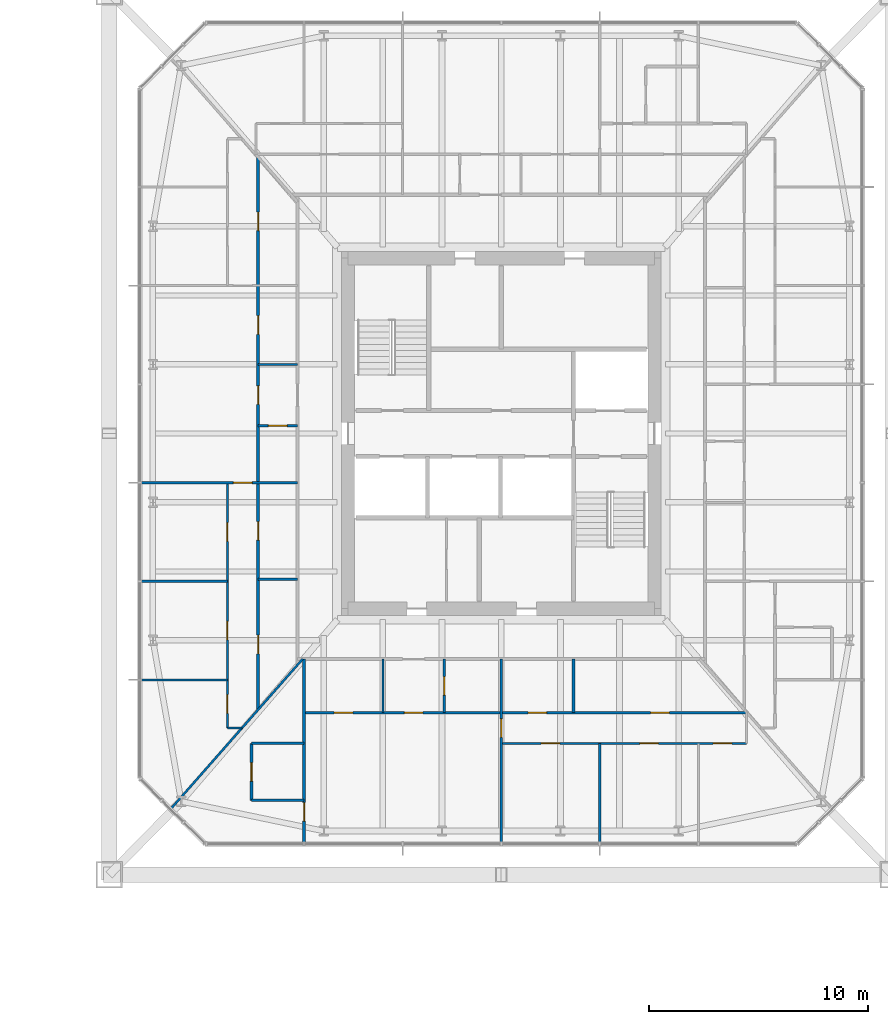
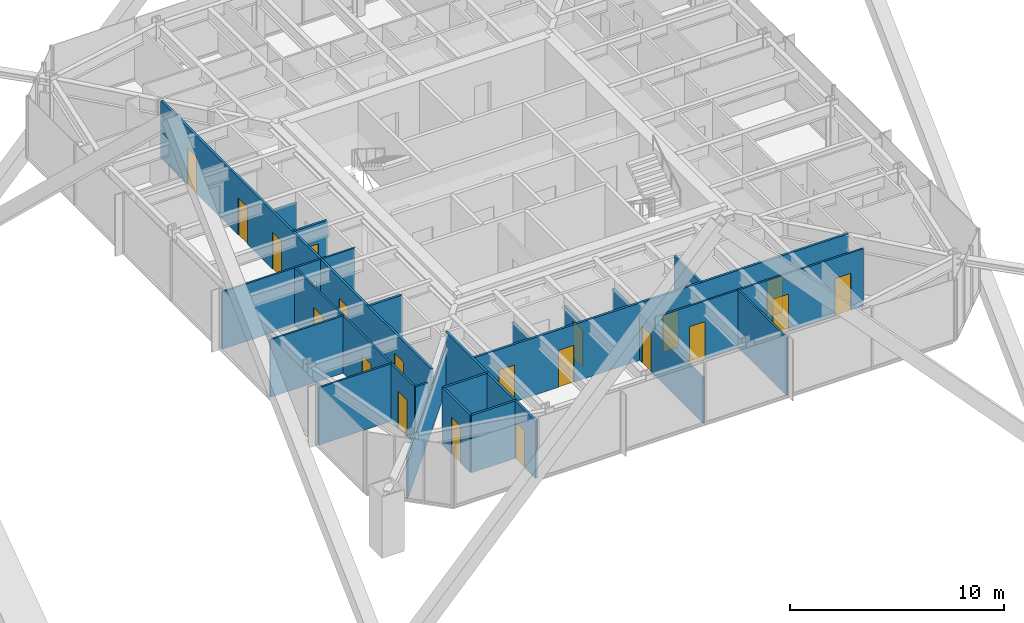
# One storey, part 20 of 28: 21 doors, 21 walls, 21 openings.
"""IFC4 building model written with IfcOpenShell, lengths in metres."""

from ifc_helpers import new_model, si_unit, direction, frame, frame_2d, origin, place, context, subcontext, project, spatial, rectangle, extrude, material, layer, layer_set, type_object, element, fill, save


model = new_model("IFC4")

# Units and contexts
model_context = context("Model", 3, precision=1e-05, world=origin(), true_north=direction((0.0, 1.0)))
body_context = subcontext(model_context, "Body", "Model", "MODEL_VIEW")
ifc_project = project(units=[si_unit("LENGTHUNIT", "METRE"), si_unit("AREAUNIT", "SQUARE_METRE"), si_unit("VOLUMEUNIT", "CUBIC_METRE"), si_unit("PLANEANGLEUNIT", "RADIAN"), si_unit("MASSUNIT", "GRAM", prefix="KILO")], contexts=[model_context])

# Site, building, storey
site_placement = place(None, origin())
site = spatial("IfcSite", under=ifc_project, at=site_placement, CompositionType="ELEMENT")
building_placement = place(site_placement, origin())
building = spatial("IfcBuilding", under=site, at=building_placement, Name="Iwan Alto Co-Living Towers", CompositionType="ELEMENT")
storey_placement = place(building_placement, frame((0.0, 0.0, 43.0)))
storey = spatial("IfcBuildingStorey", under=building, at=storey_placement, Name="L11", CompositionType="ELEMENT", Elevation=43.0)

# Wall, openings, doors
ifc_material_1 = material(Name="Gypsum board")
ifc_layer_1 = layer(ifc_material_1, 0.012451171875, Name="Board", Category="Finish")
ifc_material_2 = material(Name="Steel ASTM A1003 ST33H cold-formed studs", Category="steel")
ifc_layer_2 = layer(ifc_material_2, 0.074951171875, Name="Studs", Category="Framing")
ifc_layer_3 = layer(ifc_material_1, 0.012451171875, Name="Board", Category="Finish")
ifc_layer_set_1 = layer_set([ifc_layer_1, ifc_layer_2, ifc_layer_3], Name="PARTITION 100")
wall_type_1 = type_object("IfcWallType", Name="PARTITION 100", PredefinedType="PARTITIONING", material=ifc_layer_set_1)
wall_1_placement = place(storey_placement, frame((63.0, -14.14990234375, 0.0), z_axis=(0.0, 0.0, 1.0), x_axis=(1.0, 0.0, 0.0)))
wall_1 = element("IfcWall", 1, at=wall_1_placement, inside=storey, type_object=wall_type_1, Name="Partition L11", PredefinedType="PARTITIONING", context=body_context, shape_type="SweptSolid", body=[
    extrude(rectangle(XDim=11.199951171875, YDim=0.10009765625, at=frame_2d((5.60009765625, 0.0))), origin(), (0.0, 0.0, 1.0), 3.27001953125),
])
opening_1_placement = place(wall_1_placement, frame((1.824951171875, 0.0, 0.0)))
opening_1 = element("IfcOpeningElement", 2, at=opening_1_placement, cuts=wall_1, Name="Opening D2", PredefinedType="OPENING", context=body_context, shape_type="SweptSolid", body=[
    extrude(rectangle(XDim=0.85009765625, YDim=2.10009765625, at=frame_2d((0.425048828125, 1.050048828125))), frame((0.0, 0.06005859375, 0.0), z_axis=(0.0, -1.0, 0.0), x_axis=(1.0, 0.0, 0.0)), (0.0, 0.0, 1.0), 0.1201171875),
])
opening_2_placement = place(wall_1_placement, frame((6.324951171875, 0.0, 0.0)))
opening_2 = element("IfcOpeningElement", 3, at=opening_2_placement, cuts=wall_1, Name="Opening D2", PredefinedType="OPENING", context=body_context, shape_type="SweptSolid", body=[
    extrude(rectangle(XDim=0.85009765625, YDim=2.10009765625, at=frame_2d((0.425048828125, 1.050048828125))), frame((0.0, 0.06005859375, 0.0), z_axis=(0.0, -1.0, 0.0), x_axis=(1.0, 0.0, 0.0)), (0.0, 0.0, 1.0), 0.1201171875),
])
opening_3_placement = place(wall_1_placement, frame((9.675048828125, 0.0, 0.0)))
opening_3 = element("IfcOpeningElement", 4, at=opening_3_placement, cuts=wall_1, Name="Opening D2", PredefinedType="OPENING", context=body_context, shape_type="SweptSolid", body=[
    extrude(rectangle(XDim=0.85009765625, YDim=2.10009765625, at=frame_2d((0.425048828125, 1.050048828125))), frame((0.0, 0.06005859375, 0.0), z_axis=(0.0, -1.0, 0.0), x_axis=(1.0, 0.0, 0.0)), (0.0, 0.0, 1.0), 0.1201171875),
])
ifc_material_3 = material(Name="Timber leaf in steel frame", Category="steel")
door_type = type_object("IfcDoorType", Name="ROOM DOOR 850X2100", OperationType="SINGLE_SWING_LEFT", PredefinedType="DOOR", material=ifc_material_3)
door_1_placement = place(opening_1_placement, frame((0.85009765625, 0.0, 0.0), z_axis=(0.0, 0.0, 1.0), x_axis=(-1.0, 0.0, 0.0)))
door_1 = element("IfcDoor", 5, at=door_1_placement, inside=storey, type_object=door_type, Name="Study door L11", OperationType="SINGLE_SWING_RIGHT", OverallHeight=2.10009765625, OverallWidth=0.85009765625, PredefinedType="DOOR", context=body_context, shape_type="SweptSolid", body=[
    extrude(rectangle(XDim=0.85009765625, YDim=2.10009765625, at=frame_2d((0.425048828125, 1.050048828125))), frame((0.0, 0.02490234375, 0.0), z_axis=(0.0, -1.0, 0.0), x_axis=(1.0, 0.0, 0.0)), (0.0, 0.0, 1.0), 0.050048828125),
])
fill(opening_1, door_1)
door_2_placement = place(opening_2_placement, frame((0.85009765625, 0.0, 0.0), z_axis=(0.0, 0.0, 1.0), x_axis=(-1.0, 0.0, 0.0)))
door_2 = element("IfcDoor", 6, at=door_2_placement, inside=storey, type_object=door_type, Name="Bedroom door L11", OperationType="SINGLE_SWING_RIGHT", OverallHeight=2.10009765625, OverallWidth=0.85009765625, PredefinedType="DOOR", context=body_context, shape_type="SweptSolid", body=[
    extrude(rectangle(XDim=0.85009765625, YDim=2.10009765625, at=frame_2d((0.425048828125, 1.050048828125))), frame((0.0, 0.02490234375, 0.0), z_axis=(0.0, -1.0, 0.0), x_axis=(1.0, 0.0, 0.0)), (0.0, 0.0, 1.0), 0.050048828125),
])
fill(opening_2, door_2)
door_3_placement = place(opening_3_placement, frame((0.85009765625, 0.0, 0.0), z_axis=(0.0, 0.0, 1.0), x_axis=(-1.0, 0.0, 0.0)))
door_3 = element("IfcDoor", 7, at=door_3_placement, inside=storey, type_object=door_type, Name="Bedroom door L11", OperationType="SINGLE_SWING_RIGHT", OverallHeight=2.10009765625, OverallWidth=0.85009765625, PredefinedType="DOOR", context=body_context, shape_type="SweptSolid", body=[
    extrude(rectangle(XDim=0.85009765625, YDim=2.10009765625, at=frame_2d((0.425048828125, 1.050048828125))), frame((0.0, 0.02490234375, 0.0), z_axis=(0.0, -1.0, 0.0), x_axis=(1.0, 0.0, 0.0)), (0.0, 0.0, 1.0), 0.050048828125),
])
fill(opening_3, door_3)

# Walls
wall_2_placement = place(storey_placement, frame((50.5, -13.449951171875, 0.0), z_axis=(0.0, 0.0, 1.0), x_axis=(1.0, 0.0, 0.0)))
element("IfcWall", 8, at=wall_2_placement, inside=storey, type_object=wall_type_1, Name="Partition L11", PredefinedType="PARTITIONING", context=body_context, shape_type="SweptSolid", body=[
    extrude(rectangle(XDim=0.6640625, YDim=0.10009765625, at=frame_2d((0.33203125, 0.0))), origin(), (0.0, 0.0, 1.0), 3.27001953125),
])
for number, where, z_axis, x_axis, name in (
    (9, (46.56005859375, -11.25, 0.0), (0.0, 0.0, 1.0), (1.0, 0.0, 0.0), "Partition L11"),
    (10, (46.56005859375, -6.75, 0.0), (0.0, 0.0, 1.0), (1.0, 0.0, 0.0), "Partition L11"),
):
    element("IfcWall", number, at=place(storey_placement, frame(where, z_axis=z_axis, x_axis=x_axis)), inside=storey, type_object=wall_type_1, Name=name, PredefinedType="PARTITIONING", context=body_context, shape_type="SweptSolid", body=[
        extrude(rectangle(XDim=3.93994140625, YDim=0.10009765625, at=frame_2d((1.969970703125, 0.0))), origin(), (0.0, 0.0, 1.0), 3.27001953125),
    ])

# Wall, opening, door
wall_3_placement = place(storey_placement, frame((46.56005859375, -2.25, 0.0), z_axis=(0.0, 0.0, 1.0), x_axis=(1.0, 0.0, 0.0)))
wall_3 = element("IfcWall", 11, at=wall_3_placement, inside=storey, type_object=wall_type_1, Name="Partition L11", PredefinedType="PARTITIONING", context=body_context, shape_type="SweptSolid", body=[
    extrude(rectangle(XDim=7.139892578125, YDim=0.10009765625, at=frame_2d((3.56982421875, 0.0))), origin(), (0.0, 0.0, 1.0), 3.27001953125),
])
opening_4_placement = place(wall_3_placement, frame((4.215087890625, 0.0, 0.0)))
opening_4 = element("IfcOpeningElement", 12, at=opening_4_placement, cuts=wall_3, Name="Opening D2", PredefinedType="OPENING", context=body_context, shape_type="SweptSolid", body=[
    extrude(rectangle(XDim=0.85009765625, YDim=2.10009765625, at=frame_2d((0.425048828125, 1.050048828125))), frame((0.0, 0.06005859375, 0.0), z_axis=(0.0, -1.0, 0.0), x_axis=(1.0, 0.0, 0.0)), (0.0, 0.0, 1.0), 0.1201171875),
])
door_4_placement = place(opening_4_placement, origin())
door_4 = element("IfcDoor", 13, at=door_4_placement, inside=storey, type_object=door_type, Name="Apartment hall door L11", OperationType="SINGLE_SWING_RIGHT", OverallHeight=2.10009765625, OverallWidth=0.85009765625, PredefinedType="DOOR", context=body_context, shape_type="SweptSolid", body=[
    extrude(rectangle(XDim=0.85009765625, YDim=2.10009765625, at=frame_2d((0.425048828125, 1.050048828125))), frame((0.0, 0.02490234375, 0.0), z_axis=(0.0, -1.0, 0.0), x_axis=(1.0, 0.0, 0.0)), (0.0, 0.0, 1.0), 0.050048828125),
])
fill(opening_4, door_4)

# Walls
wall_4_placement = place(storey_placement, frame((51.89990234375, 3.14990234375, 0.0), z_axis=(0.0, 0.0, 1.0), x_axis=(1.0, 0.0, 0.0)))
element("IfcWall", 14, at=wall_4_placement, inside=storey, type_object=wall_type_1, Name="Partition L11", PredefinedType="PARTITIONING", context=body_context, shape_type="SweptSolid", body=[
    extrude(rectangle(XDim=1.800048828125, YDim=0.10009765625, at=frame_2d((0.89990234375, 0.0))), origin(), (0.0, 0.0, 1.0), 2.586669921875),
])
wall_5_placement = place(storey_placement, frame((47.944091796875, -17.10888671875, 0.0), z_axis=(0.0, 0.0, 1.0), x_axis=(0.660638210404, 0.750704439146, 0.0)))
element("IfcWall", 15, at=wall_5_placement, inside=storey, type_object=wall_type_1, Name="Partition L11", PredefinedType="PARTITIONING", context=body_context, shape_type="SweptSolid", body=[
    extrude(rectangle(XDim=9.06982421875, YDim=0.10009765625, at=frame_2d((4.534912109375, 0.0))), origin(), (0.0, 0.0, 1.0), 2.42919921875),
])
wall_6_placement = place(storey_placement, frame((67.5, -18.68994140625, 0.0), z_axis=(0.0, 0.0, 1.0), x_axis=(0.0, 1.0, 0.0)))
element("IfcWall", 16, at=wall_6_placement, inside=storey, type_object=wall_type_1, Name="Partition L11", PredefinedType="PARTITIONING", context=body_context, shape_type="SweptSolid", body=[
    extrude(rectangle(XDim=4.5400390625, YDim=0.10009765625, at=frame_2d((2.27001953125, 0.0))), origin(), (0.0, 0.0, 1.0), 3.27001953125),
])

# Wall, opening, door
wall_7_placement = place(storey_placement, frame((63.0, -18.68994140625, 0.0), z_axis=(0.0, 0.0, 1.0), x_axis=(0.0, 1.0, 0.0)))
wall_7 = element("IfcWall", 17, at=wall_7_placement, inside=storey, type_object=wall_type_1, Name="Partition L11", PredefinedType="PARTITIONING", context=body_context, shape_type="SweptSolid", body=[
    extrude(rectangle(XDim=8.389892578125, YDim=0.10009765625, at=frame_2d((4.19482421875, 0.0))), origin(), (0.0, 0.0, 1.0), 2.586669921875),
])
opening_5_placement = place(wall_7_placement, frame((4.81494140625, 0.0, 0.0)))
opening_5 = element("IfcOpeningElement", 18, at=opening_5_placement, cuts=wall_7, Name="Opening D2", PredefinedType="OPENING", context=body_context, shape_type="SweptSolid", body=[
    extrude(rectangle(XDim=0.85009765625, YDim=2.10009765625, at=frame_2d((0.425048828125, 1.050048828125))), frame((0.0, 0.06005859375, 0.0), z_axis=(0.0, -1.0, 0.0), x_axis=(1.0, 0.0, 0.0)), (0.0, 0.0, 1.0), 0.1201171875),
])
door_5_placement = place(opening_5_placement, origin())
door_5 = element("IfcDoor", 19, at=door_5_placement, inside=storey, type_object=door_type, Name="Apartment hall door L11", OperationType="SINGLE_SWING_RIGHT", OverallHeight=2.10009765625, OverallWidth=0.85009765625, PredefinedType="DOOR", context=body_context, shape_type="SweptSolid", body=[
    extrude(rectangle(XDim=0.85009765625, YDim=2.10009765625, at=frame_2d((0.425048828125, 1.050048828125))), frame((0.0, 0.02490234375, 0.0), z_axis=(0.0, -1.0, 0.0), x_axis=(1.0, 0.0, 0.0)), (0.0, 0.0, 1.0), 0.050048828125),
])
fill(opening_5, door_5)

# Wall
wall_8_placement = place(storey_placement, frame((57.60009765625, -12.75, 0.0), z_axis=(0.0, 0.0, 1.0), x_axis=(0.0, 1.0, 0.0)))
element("IfcWall", 20, at=wall_8_placement, inside=storey, type_object=wall_type_1, Name="Partition L11", PredefinedType="PARTITIONING", context=body_context, shape_type="SweptSolid", body=[
    extrude(rectangle(XDim=2.449951171875, YDim=0.10009765625, at=frame_2d((1.22509765625, 0.0))), origin(), (0.0, 0.0, 1.0), 2.586669921875),
])

# Wall, openings, doors
wall_9_placement = place(storey_placement, frame((50.5, -13.449951171875, 0.0), z_axis=(0.0, 0.0, 1.0), x_axis=(0.0, 1.0, 0.0)))
wall_9 = element("IfcWall", 21, at=wall_9_placement, inside=storey, type_object=wall_type_1, Name="Partition L11", PredefinedType="PARTITIONING", context=body_context, shape_type="SweptSolid", body=[
    extrude(rectangle(XDim=11.199951171875, YDim=0.10009765625, at=frame_2d((5.60009765625, 0.0))), origin(), (0.0, 0.0, 1.0), 3.27001953125),
])
opening_6_placement = place(wall_9_placement, frame((8.52490234375, 0.0, 0.0)))
opening_6 = element("IfcOpeningElement", 22, at=opening_6_placement, cuts=wall_9, Name="Opening D2", PredefinedType="OPENING", context=body_context, shape_type="SweptSolid", body=[
    extrude(rectangle(XDim=0.85009765625, YDim=2.10009765625, at=frame_2d((0.425048828125, 1.050048828125))), frame((0.0, 0.06005859375, 0.0), z_axis=(0.0, -1.0, 0.0), x_axis=(1.0, 0.0, 0.0)), (0.0, 0.0, 1.0), 0.1201171875),
])
opening_7_placement = place(wall_9_placement, frame((4.02490234375, 0.0, 0.0)))
opening_7 = element("IfcOpeningElement", 23, at=opening_7_placement, cuts=wall_9, Name="Opening D2", PredefinedType="OPENING", context=body_context, shape_type="SweptSolid", body=[
    extrude(rectangle(XDim=0.85009765625, YDim=2.10009765625, at=frame_2d((0.425048828125, 1.050048828125))), frame((0.0, 0.06005859375, 0.0), z_axis=(0.0, -1.0, 0.0), x_axis=(1.0, 0.0, 0.0)), (0.0, 0.0, 1.0), 0.1201171875),
])
opening_8_placement = place(wall_9_placement, frame((0.675048828125, 0.0, 0.0)))
opening_8 = element("IfcOpeningElement", 24, at=opening_8_placement, cuts=wall_9, Name="Opening D2", PredefinedType="OPENING", context=body_context, shape_type="SweptSolid", body=[
    extrude(rectangle(XDim=0.85009765625, YDim=2.10009765625, at=frame_2d((0.425048828125, 1.050048828125))), frame((0.0, 0.06005859375, 0.0), z_axis=(0.0, -1.0, 0.0), x_axis=(1.0, 0.0, 0.0)), (0.0, 0.0, 1.0), 0.1201171875),
])
door_6_placement = place(opening_6_placement, origin())
door_6 = element("IfcDoor", 25, at=door_6_placement, inside=storey, type_object=door_type, Name="Family room door L11", OperationType="SINGLE_SWING_LEFT", OverallHeight=2.10009765625, OverallWidth=0.85009765625, PredefinedType="DOOR", context=body_context, shape_type="SweptSolid", body=[
    extrude(rectangle(XDim=0.85009765625, YDim=2.10009765625, at=frame_2d((0.425048828125, 1.050048828125))), frame((0.0, 0.02490234375, 0.0), z_axis=(0.0, -1.0, 0.0), x_axis=(1.0, 0.0, 0.0)), (0.0, 0.0, 1.0), 0.050048828125),
])
fill(opening_6, door_6)
door_7_placement = place(opening_7_placement, origin())
door_7 = element("IfcDoor", 26, at=door_7_placement, inside=storey, type_object=door_type, Name="Bedroom door L11", OperationType="SINGLE_SWING_LEFT", OverallHeight=2.10009765625, OverallWidth=0.85009765625, PredefinedType="DOOR", context=body_context, shape_type="SweptSolid", body=[
    extrude(rectangle(XDim=0.85009765625, YDim=2.10009765625, at=frame_2d((0.425048828125, 1.050048828125))), frame((0.0, 0.02490234375, 0.0), z_axis=(0.0, -1.0, 0.0), x_axis=(1.0, 0.0, 0.0)), (0.0, 0.0, 1.0), 0.050048828125),
])
fill(opening_7, door_7)
door_8_placement = place(opening_8_placement, origin())
door_8 = element("IfcDoor", 27, at=door_8_placement, inside=storey, type_object=door_type, Name="Bedroom door L11", OperationType="SINGLE_SWING_RIGHT", OverallHeight=2.10009765625, OverallWidth=0.85009765625, PredefinedType="DOOR", context=body_context, shape_type="SweptSolid", body=[
    extrude(rectangle(XDim=0.85009765625, YDim=2.10009765625, at=frame_2d((0.425048828125, 1.050048828125))), frame((0.0, 0.02490234375, 0.0), z_axis=(0.0, -1.0, 0.0), x_axis=(1.0, 0.0, 0.0)), (0.0, 0.0, 1.0), 0.050048828125),
])
fill(opening_8, door_8)

# Walls
ifc_material_4 = material(Name="Cement board")
ifc_layer_4 = layer(ifc_material_4, 0.012451171875, Name="Board", Category="Finish")
ifc_layer_5 = layer(ifc_material_2, 0.094970703125, Name="Studs", Category="Framing")
ifc_layer_6 = layer(ifc_material_4, 0.012451171875, Name="Board", Category="Finish")
ifc_layer_set_2 = layer_set([ifc_layer_4, ifc_layer_5, ifc_layer_6], Name="WET AREA PARTITION 120")
wall_type_2 = type_object("IfcWallType", Name="WET AREA PARTITION 120", PredefinedType="PARTITIONING", material=ifc_layer_set_2)
for number, where, z_axis, x_axis, name in (
    (28, (51.60009765625, -16.75, 0.0), (0.0, 0.0, 1.0), (1.0, 0.0, 0.0), "Partition L11"),
    (29, (51.60009765625, -14.14990234375, 0.0), (0.0, 0.0, 1.0), (1.0, 0.0, 0.0), "Partition L11"),
):
    element("IfcWall", number, at=place(storey_placement, frame(where, z_axis=z_axis, x_axis=x_axis)), inside=storey, type_object=wall_type_2, Name=name, PredefinedType="PARTITIONING", context=body_context, shape_type="SweptSolid", body=[
        extrude(rectangle(XDim=2.39990234375, YDim=0.1201171875, at=frame_2d((1.199951171875, 0.0))), origin(), (0.0, 0.0, 1.0), 3.27001953125),
    ])

# Wall, openings, doors
wall_10_placement = place(storey_placement, frame((54.0, -12.75, 0.0), z_axis=(0.0, 0.0, 1.0), x_axis=(1.0, 0.0, 0.0)))
wall_10 = element("IfcWall", 30, at=wall_10_placement, inside=storey, type_object=wall_type_2, Name="Partition L11", PredefinedType="PARTITIONING", context=body_context, shape_type="SweptSolid", body=[
    extrude(rectangle(XDim=20.199951171875, YDim=0.1201171875, at=frame_2d((10.10009765625, 0.0))), origin(), (0.0, 0.0, 1.0), 3.27001953125),
])
opening_9_placement = place(wall_10_placement, frame((1.375, 0.0, 0.0)))
opening_9 = element("IfcOpeningElement", 31, at=opening_9_placement, cuts=wall_10, Name="Opening D2", PredefinedType="OPENING", context=body_context, shape_type="SweptSolid", body=[
    extrude(rectangle(XDim=0.85009765625, YDim=2.10009765625, at=frame_2d((0.425048828125, 1.050048828125))), frame((0.0, 0.070068359375, 0.0), z_axis=(0.0, -1.0, 0.0), x_axis=(1.0, 0.0, 0.0)), (0.0, 0.0, 1.0), 0.14013671875),
])
opening_10_placement = place(wall_10_placement, frame((4.574951171875, 0.0, 0.0)))
opening_10 = element("IfcOpeningElement", 32, at=opening_10_placement, cuts=wall_10, Name="Opening D2", PredefinedType="OPENING", context=body_context, shape_type="SweptSolid", body=[
    extrude(rectangle(XDim=0.85009765625, YDim=2.10009765625, at=frame_2d((0.425048828125, 1.050048828125))), frame((0.0, 0.070068359375, 0.0), z_axis=(0.0, -1.0, 0.0), x_axis=(1.0, 0.0, 0.0)), (0.0, 0.0, 1.0), 0.14013671875),
])
opening_11_placement = place(wall_10_placement, frame((10.22509765625, 0.0, 0.0)))
opening_11 = element("IfcOpeningElement", 33, at=opening_11_placement, cuts=wall_10, Name="Opening D2", PredefinedType="OPENING", context=body_context, shape_type="SweptSolid", body=[
    extrude(rectangle(XDim=0.85009765625, YDim=2.10009765625, at=frame_2d((0.425048828125, 1.050048828125))), frame((0.0, 0.070068359375, 0.0), z_axis=(0.0, -1.0, 0.0), x_axis=(1.0, 0.0, 0.0)), (0.0, 0.0, 1.0), 0.14013671875),
])
opening_12_placement = place(wall_10_placement, frame((15.824951171875, 0.0, 0.0)))
opening_12 = element("IfcOpeningElement", 34, at=opening_12_placement, cuts=wall_10, Name="Opening D2", PredefinedType="OPENING", context=body_context, shape_type="SweptSolid", body=[
    extrude(rectangle(XDim=0.85009765625, YDim=2.10009765625, at=frame_2d((0.425048828125, 1.050048828125))), frame((0.0, 0.070068359375, 0.0), z_axis=(0.0, -1.0, 0.0), x_axis=(1.0, 0.0, 0.0)), (0.0, 0.0, 1.0), 0.14013671875),
])
door_9_placement = place(opening_9_placement, frame((0.85009765625, 0.0, 0.0), z_axis=(0.0, 0.0, 1.0), x_axis=(-1.0, 0.0, 0.0)))
door_9 = element("IfcDoor", 35, at=door_9_placement, inside=storey, type_object=door_type, Name="Kitchen door L11", OperationType="SINGLE_SWING_RIGHT", OverallHeight=2.10009765625, OverallWidth=0.85009765625, PredefinedType="DOOR", context=body_context, shape_type="SweptSolid", body=[
    extrude(rectangle(XDim=0.85009765625, YDim=2.10009765625, at=frame_2d((0.425048828125, 1.050048828125))), frame((0.0, 0.02490234375, 0.0), z_axis=(0.0, -1.0, 0.0), x_axis=(1.0, 0.0, 0.0)), (0.0, 0.0, 1.0), 0.050048828125),
])
fill(opening_9, door_9)
door_10_placement = place(opening_10_placement, frame((0.85009765625, 0.0, 0.0), z_axis=(0.0, 0.0, 1.0), x_axis=(-1.0, 0.0, 0.0)))
door_10 = element("IfcDoor", 36, at=door_10_placement, inside=storey, type_object=door_type, Name="Apartment foyer door L11", OperationType="SINGLE_SWING_LEFT", OverallHeight=2.10009765625, OverallWidth=0.85009765625, PredefinedType="DOOR", context=body_context, shape_type="SweptSolid", body=[
    extrude(rectangle(XDim=0.85009765625, YDim=2.10009765625, at=frame_2d((0.425048828125, 1.050048828125))), frame((0.0, 0.02490234375, 0.0), z_axis=(0.0, -1.0, 0.0), x_axis=(1.0, 0.0, 0.0)), (0.0, 0.0, 1.0), 0.050048828125),
])
fill(opening_10, door_10)
door_11_placement = place(opening_11_placement, origin())
door_11 = element("IfcDoor", 37, at=door_11_placement, inside=storey, type_object=door_type, Name="Utility room door L11", OperationType="SINGLE_SWING_LEFT", OverallHeight=2.10009765625, OverallWidth=0.85009765625, PredefinedType="DOOR", context=body_context, shape_type="SweptSolid", body=[
    extrude(rectangle(XDim=0.85009765625, YDim=2.10009765625, at=frame_2d((0.425048828125, 1.050048828125))), frame((0.0, 0.02490234375, 0.0), z_axis=(0.0, -1.0, 0.0), x_axis=(1.0, 0.0, 0.0)), (0.0, 0.0, 1.0), 0.050048828125),
])
fill(opening_11, door_11)
door_12_placement = place(opening_12_placement, origin())
door_12 = element("IfcDoor", 38, at=door_12_placement, inside=storey, type_object=door_type, Name="Store room door L11", OperationType="SINGLE_SWING_RIGHT", OverallHeight=2.10009765625, OverallWidth=0.85009765625, PredefinedType="DOOR", context=body_context, shape_type="SweptSolid", body=[
    extrude(rectangle(XDim=0.85009765625, YDim=2.10009765625, at=frame_2d((0.425048828125, 1.050048828125))), frame((0.0, 0.02490234375, 0.0), z_axis=(0.0, -1.0, 0.0), x_axis=(1.0, 0.0, 0.0)), (0.0, 0.0, 1.0), 0.050048828125),
])
fill(opening_12, door_12)

# Wall
wall_11_placement = place(storey_placement, frame((51.89990234375, -6.64990234375, 0.0), z_axis=(0.0, 0.0, 1.0), x_axis=(1.0, 0.0, 0.0)))
element("IfcWall", 39, at=wall_11_placement, inside=storey, type_object=wall_type_2, Name="Partition L11", PredefinedType="PARTITIONING", context=body_context, shape_type="SweptSolid", body=[
    extrude(rectangle(XDim=1.800048828125, YDim=0.1201171875, at=frame_2d((0.89990234375, 0.0))), origin(), (0.0, 0.0, 1.0), 3.27001953125),
])

# Wall, opening, door
wall_12_placement = place(storey_placement, frame((51.89990234375, 0.35009765625, 0.0), z_axis=(0.0, 0.0, 1.0), x_axis=(1.0, 0.0, 0.0)))
wall_12 = element("IfcWall", 40, at=wall_12_placement, inside=storey, type_object=wall_type_2, Name="Partition L11", PredefinedType="PARTITIONING", context=body_context, shape_type="SweptSolid", body=[
    extrude(rectangle(XDim=1.800048828125, YDim=0.1201171875, at=frame_2d((0.89990234375, 0.0))), origin(), (0.0, 0.0, 1.0), 3.27001953125),
])
opening_13_placement = place(wall_12_placement, frame((0.47509765625, 0.0, 0.0)))
opening_13 = element("IfcOpeningElement", 41, at=opening_13_placement, cuts=wall_12, Name="Opening D2", PredefinedType="OPENING", context=body_context, shape_type="SweptSolid", body=[
    extrude(rectangle(XDim=0.85009765625, YDim=2.10009765625, at=frame_2d((0.425048828125, 1.050048828125))), frame((0.0, 0.070068359375, 0.0), z_axis=(0.0, -1.0, 0.0), x_axis=(1.0, 0.0, 0.0)), (0.0, 0.0, 1.0), 0.14013671875),
])
door_13_placement = place(opening_13_placement, frame((0.85009765625, 0.0, 0.0), z_axis=(0.0, 0.0, 1.0), x_axis=(-1.0, 0.0, 0.0)))
door_13 = element("IfcDoor", 42, at=door_13_placement, inside=storey, type_object=door_type, Name="Bathroom door L11", OperationType="SINGLE_SWING_RIGHT", OverallHeight=2.10009765625, OverallWidth=0.85009765625, PredefinedType="DOOR", context=body_context, shape_type="SweptSolid", body=[
    extrude(rectangle(XDim=0.85009765625, YDim=2.10009765625, at=frame_2d((0.425048828125, 1.050048828125))), frame((0.0, 0.02490234375, 0.0), z_axis=(0.0, -1.0, 0.0), x_axis=(1.0, 0.0, 0.0)), (0.0, 0.0, 1.0), 0.050048828125),
])
fill(opening_13, door_13)

# Wall
wall_13_placement = place(storey_placement, frame((66.300048828125, -12.75, 0.0), z_axis=(0.0, 0.0, 1.0), x_axis=(0.0, 1.0, 0.0)))
element("IfcWall", 43, at=wall_13_placement, inside=storey, type_object=wall_type_2, Name="Partition L11", PredefinedType="PARTITIONING", context=body_context, shape_type="SweptSolid", body=[
    extrude(rectangle(XDim=2.449951171875, YDim=0.1201171875, at=frame_2d((1.22509765625, 0.0))), origin(), (0.0, 0.0, 1.0), 3.27001953125),
])

# Wall, opening, door
wall_14_placement = place(storey_placement, frame((60.39990234375, -12.75, 0.0), z_axis=(0.0, 0.0, 1.0), x_axis=(0.0, 1.0, 0.0)))
wall_14 = element("IfcWall", 44, at=wall_14_placement, inside=storey, type_object=wall_type_2, Name="Partition L11", PredefinedType="PARTITIONING", context=body_context, shape_type="SweptSolid", body=[
    extrude(rectangle(XDim=2.449951171875, YDim=0.1201171875, at=frame_2d((1.22509765625, 0.0))), origin(), (0.0, 0.0, 1.0), 2.508056640625),
])
opening_14_placement = place(wall_14_placement, frame((0.800048828125, 0.0, 0.0)))
opening_14 = element("IfcOpeningElement", 45, at=opening_14_placement, cuts=wall_14, Name="Opening D2", PredefinedType="OPENING", context=body_context, shape_type="SweptSolid", body=[
    extrude(rectangle(XDim=0.85009765625, YDim=2.10009765625, at=frame_2d((0.425048828125, 1.050048828125))), frame((0.0, 0.070068359375, 0.0), z_axis=(0.0, -1.0, 0.0), x_axis=(1.0, 0.0, 0.0)), (0.0, 0.0, 1.0), 0.14013671875),
])
door_14_placement = place(opening_14_placement, frame((0.85009765625, 0.0, 0.0), z_axis=(0.0, 0.0, 1.0), x_axis=(-1.0, 0.0, 0.0)))
door_14 = element("IfcDoor", 46, at=door_14_placement, inside=storey, type_object=door_type, Name="Bathroom door L11", OperationType="SINGLE_SWING_RIGHT", OverallHeight=2.10009765625, OverallWidth=0.85009765625, PredefinedType="DOOR", context=body_context, shape_type="SweptSolid", body=[
    extrude(rectangle(XDim=0.85009765625, YDim=2.10009765625, at=frame_2d((0.425048828125, 1.050048828125))), frame((0.0, 0.02490234375, 0.0), z_axis=(0.0, -1.0, 0.0), x_axis=(1.0, 0.0, 0.0)), (0.0, 0.0, 1.0), 0.050048828125),
])
fill(opening_14, door_14)

wall_15_placement = place(storey_placement, frame((54.0, -18.68994140625, 0.0), z_axis=(0.0, 0.0, 1.0), x_axis=(0.0, 1.0, 0.0)))
wall_15 = element("IfcWall", 47, at=wall_15_placement, inside=storey, type_object=wall_type_2, Name="Partition L11", PredefinedType="PARTITIONING", context=body_context, shape_type="SweptSolid", body=[
    extrude(rectangle(XDim=8.389892578125, YDim=0.1201171875, at=frame_2d((4.19482421875, 0.0))), origin(), (0.0, 0.0, 1.0), 3.27001953125),
])
opening_15_placement = place(wall_15_placement, frame((0.989990234375, 0.0, 0.0)))
opening_15 = element("IfcOpeningElement", 48, at=opening_15_placement, cuts=wall_15, Name="Opening D2", PredefinedType="OPENING", context=body_context, shape_type="SweptSolid", body=[
    extrude(rectangle(XDim=0.85009765625, YDim=2.10009765625, at=frame_2d((0.425048828125, 1.050048828125))), frame((0.0, 0.070068359375, 0.0), z_axis=(0.0, -1.0, 0.0), x_axis=(1.0, 0.0, 0.0)), (0.0, 0.0, 1.0), 0.14013671875),
])
door_15_placement = place(opening_15_placement, frame((0.85009765625, 0.0, 0.0), z_axis=(0.0, 0.0, 1.0), x_axis=(-1.0, 0.0, 0.0)))
door_15 = element("IfcDoor", 49, at=door_15_placement, inside=storey, type_object=door_type, Name="Bedroom door L11", OperationType="SINGLE_SWING_RIGHT", OverallHeight=2.10009765625, OverallWidth=0.85009765625, PredefinedType="DOOR", context=body_context, shape_type="SweptSolid", body=[
    extrude(rectangle(XDim=0.85009765625, YDim=2.10009765625, at=frame_2d((0.425048828125, 1.050048828125))), frame((0.0, 0.02490234375, 0.0), z_axis=(0.0, -1.0, 0.0), x_axis=(1.0, 0.0, 0.0)), (0.0, 0.0, 1.0), 0.050048828125),
])
fill(opening_15, door_15)

# Wall, openings, doors
wall_16_placement = place(storey_placement, frame((51.89990234375, -12.614013671875, 0.0), z_axis=(0.0, 0.0, 1.0), x_axis=(0.0, 1.0, 0.0)))
wall_16 = element("IfcWall", 50, at=wall_16_placement, inside=storey, type_object=wall_type_2, Name="Partition L11", PredefinedType="PARTITIONING", context=body_context, shape_type="SweptSolid", body=[
    extrude(rectangle(XDim=25.22802734375, YDim=0.1201171875, at=frame_2d((12.614013671875, 0.0))), origin(), (0.0, 0.0, 1.0), 3.27001953125),
])
opening_16_placement = place(wall_16_placement, frame((17.138916015625, 0.0, 0.0)))
opening_16 = element("IfcOpeningElement", 51, at=opening_16_placement, cuts=wall_16, Name="Opening D2", PredefinedType="OPENING", context=body_context, shape_type="SweptSolid", body=[
    extrude(rectangle(XDim=0.85009765625, YDim=2.10009765625, at=frame_2d((0.425048828125, 1.050048828125))), frame((0.0, 0.070068359375, 0.0), z_axis=(0.0, -1.0, 0.0), x_axis=(1.0, 0.0, 0.0)), (0.0, 0.0, 1.0), 0.14013671875),
])
opening_17_placement = place(wall_16_placement, frame((13.93896484375, 0.0, 0.0)))
opening_17 = element("IfcOpeningElement", 52, at=opening_17_placement, cuts=wall_16, Name="Opening D2", PredefinedType="OPENING", context=body_context, shape_type="SweptSolid", body=[
    extrude(rectangle(XDim=0.85009765625, YDim=2.10009765625, at=frame_2d((0.425048828125, 1.050048828125))), frame((0.0, 0.070068359375, 0.0), z_axis=(0.0, -1.0, 0.0), x_axis=(1.0, 0.0, 0.0)), (0.0, 0.0, 1.0), 0.14013671875),
])
opening_18_placement = place(wall_16_placement, frame((21.87109375, 0.0, 0.0)))
opening_18 = element("IfcOpeningElement", 53, at=opening_18_placement, cuts=wall_16, Name="Opening D2", PredefinedType="OPENING", context=body_context, shape_type="SweptSolid", body=[
    extrude(rectangle(XDim=0.85009765625, YDim=2.10009765625, at=frame_2d((0.425048828125, 1.050048828125))), frame((0.0, 0.070068359375, 0.0), z_axis=(0.0, -1.0, 0.0), x_axis=(1.0, 0.0, 0.0)), (0.0, 0.0, 1.0), 0.14013671875),
])
opening_19_placement = place(wall_16_placement, frame((7.739013671875, 0.0, 0.0)))
opening_19 = element("IfcOpeningElement", 54, at=opening_19_placement, cuts=wall_16, Name="Opening D2", PredefinedType="OPENING", context=body_context, shape_type="SweptSolid", body=[
    extrude(rectangle(XDim=0.85009765625, YDim=2.10009765625, at=frame_2d((0.425048828125, 1.050048828125))), frame((0.0, 0.070068359375, 0.0), z_axis=(0.0, -1.0, 0.0), x_axis=(1.0, 0.0, 0.0)), (0.0, 0.0, 1.0), 0.14013671875),
])
opening_20_placement = place(wall_16_placement, frame((2.556884765625, 0.0, 0.0)))
opening_20 = element("IfcOpeningElement", 55, at=opening_20_placement, cuts=wall_16, Name="Opening D2", PredefinedType="OPENING", context=body_context, shape_type="SweptSolid", body=[
    extrude(rectangle(XDim=0.85009765625, YDim=2.10009765625, at=frame_2d((0.425048828125, 1.050048828125))), frame((0.0, 0.070068359375, 0.0), z_axis=(0.0, -1.0, 0.0), x_axis=(1.0, 0.0, 0.0)), (0.0, 0.0, 1.0), 0.14013671875),
])
door_16_placement = place(opening_16_placement, origin())
door_16 = element("IfcDoor", 56, at=door_16_placement, inside=storey, type_object=door_type, Name="Kitchen door L11", OperationType="SINGLE_SWING_RIGHT", OverallHeight=2.10009765625, OverallWidth=0.85009765625, PredefinedType="DOOR", context=body_context, shape_type="SweptSolid", body=[
    extrude(rectangle(XDim=0.85009765625, YDim=2.10009765625, at=frame_2d((0.425048828125, 1.050048828125))), frame((0.0, 0.02490234375, 0.0), z_axis=(0.0, -1.0, 0.0), x_axis=(1.0, 0.0, 0.0)), (0.0, 0.0, 1.0), 0.050048828125),
])
fill(opening_16, door_16)
door_17_placement = place(opening_17_placement, origin())
door_17 = element("IfcDoor", 57, at=door_17_placement, inside=storey, type_object=door_type, Name="Apartment foyer door L11", OperationType="SINGLE_SWING_LEFT", OverallHeight=2.10009765625, OverallWidth=0.85009765625, PredefinedType="DOOR", context=body_context, shape_type="SweptSolid", body=[
    extrude(rectangle(XDim=0.85009765625, YDim=2.10009765625, at=frame_2d((0.425048828125, 1.050048828125))), frame((0.0, 0.02490234375, 0.0), z_axis=(0.0, -1.0, 0.0), x_axis=(1.0, 0.0, 0.0)), (0.0, 0.0, 1.0), 0.050048828125),
])
fill(opening_17, door_17)
door_18_placement = place(opening_18_placement, frame((0.85009765625, 0.0, 0.0), z_axis=(0.0, 0.0, 1.0), x_axis=(-1.0, 0.0, 0.0)))
door_18 = element("IfcDoor", 58, at=door_18_placement, inside=storey, type_object=door_type, Name="Utility room door L11", OperationType="SINGLE_SWING_LEFT", OverallHeight=2.10009765625, OverallWidth=0.85009765625, PredefinedType="DOOR", context=body_context, shape_type="SweptSolid", body=[
    extrude(rectangle(XDim=0.85009765625, YDim=2.10009765625, at=frame_2d((0.425048828125, 1.050048828125))), frame((0.0, 0.02490234375, 0.0), z_axis=(0.0, -1.0, 0.0), x_axis=(1.0, 0.0, 0.0)), (0.0, 0.0, 1.0), 0.050048828125),
])
fill(opening_18, door_18)
door_19_placement = place(opening_19_placement, frame((0.85009765625, 0.0, 0.0), z_axis=(0.0, 0.0, 1.0), x_axis=(-1.0, 0.0, 0.0)))
door_19 = element("IfcDoor", 59, at=door_19_placement, inside=storey, type_object=door_type, Name="Utility room door L11", OperationType="SINGLE_SWING_RIGHT", OverallHeight=2.10009765625, OverallWidth=0.85009765625, PredefinedType="DOOR", context=body_context, shape_type="SweptSolid", body=[
    extrude(rectangle(XDim=0.85009765625, YDim=2.10009765625, at=frame_2d((0.425048828125, 1.050048828125))), frame((0.0, 0.02490234375, 0.0), z_axis=(0.0, -1.0, 0.0), x_axis=(1.0, 0.0, 0.0)), (0.0, 0.0, 1.0), 0.050048828125),
])
fill(opening_19, door_19)
door_20_placement = place(opening_20_placement, frame((0.85009765625, 0.0, 0.0), z_axis=(0.0, 0.0, 1.0), x_axis=(-1.0, 0.0, 0.0)))
door_20 = element("IfcDoor", 60, at=door_20_placement, inside=storey, type_object=door_type, Name="Store room door L11", OperationType="SINGLE_SWING_RIGHT", OverallHeight=2.10009765625, OverallWidth=0.85009765625, PredefinedType="DOOR", context=body_context, shape_type="SweptSolid", body=[
    extrude(rectangle(XDim=0.85009765625, YDim=2.10009765625, at=frame_2d((0.425048828125, 1.050048828125))), frame((0.0, 0.02490234375, 0.0), z_axis=(0.0, -1.0, 0.0), x_axis=(1.0, 0.0, 0.0)), (0.0, 0.0, 1.0), 0.050048828125),
])
fill(opening_20, door_20)

# Wall, opening, door
wall_17_placement = place(storey_placement, frame((51.60009765625, -16.75, 0.0), z_axis=(0.0, 0.0, 1.0), x_axis=(0.0, 1.0, 0.0)))
wall_17 = element("IfcWall", 61, at=wall_17_placement, inside=storey, type_object=wall_type_2, Name="Partition L11", PredefinedType="PARTITIONING", context=body_context, shape_type="SweptSolid", body=[
    extrude(rectangle(XDim=2.60009765625, YDim=0.1201171875, at=frame_2d((1.300048828125, 0.0))), origin(), (0.0, 0.0, 1.0), 3.27001953125),
])
opening_21_placement = place(wall_17_placement, frame((0.875, 0.0, 0.0)))
opening_21 = element("IfcOpeningElement", 62, at=opening_21_placement, cuts=wall_17, Name="Opening D2", PredefinedType="OPENING", context=body_context, shape_type="SweptSolid", body=[
    extrude(rectangle(XDim=0.85009765625, YDim=2.10009765625, at=frame_2d((0.425048828125, 1.050048828125))), frame((0.0, 0.070068359375, 0.0), z_axis=(0.0, -1.0, 0.0), x_axis=(1.0, 0.0, 0.0)), (0.0, 0.0, 1.0), 0.14013671875),
])
door_21_placement = place(opening_21_placement, origin())
door_21 = element("IfcDoor", 63, at=door_21_placement, inside=storey, type_object=door_type, Name="En-suite shower room door L11", OperationType="SINGLE_SWING_RIGHT", OverallHeight=2.10009765625, OverallWidth=0.85009765625, PredefinedType="DOOR", context=body_context, shape_type="SweptSolid", body=[
    extrude(rectangle(XDim=0.85009765625, YDim=2.10009765625, at=frame_2d((0.425048828125, 1.050048828125))), frame((0.0, 0.02490234375, 0.0), z_axis=(0.0, -1.0, 0.0), x_axis=(1.0, 0.0, 0.0)), (0.0, 0.0, 1.0), 0.050048828125),
])
fill(opening_21, door_21)

save(model, "model.ifc")
